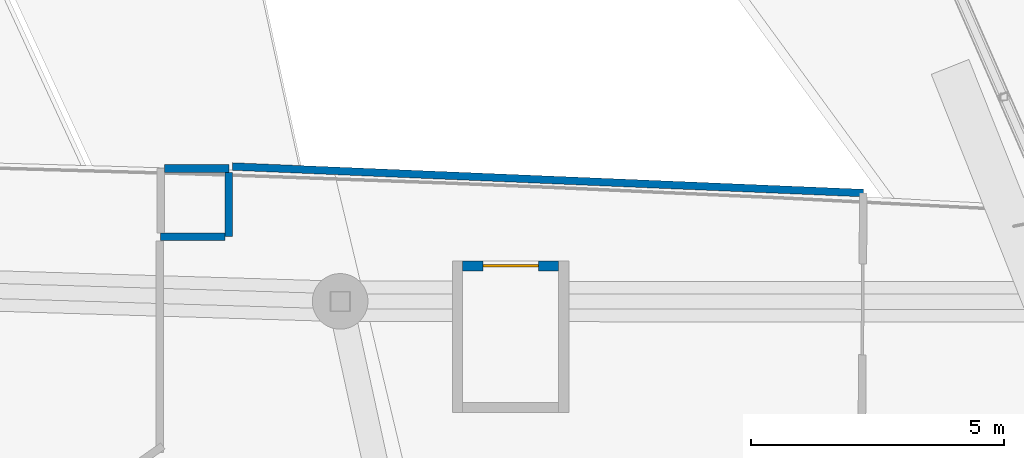
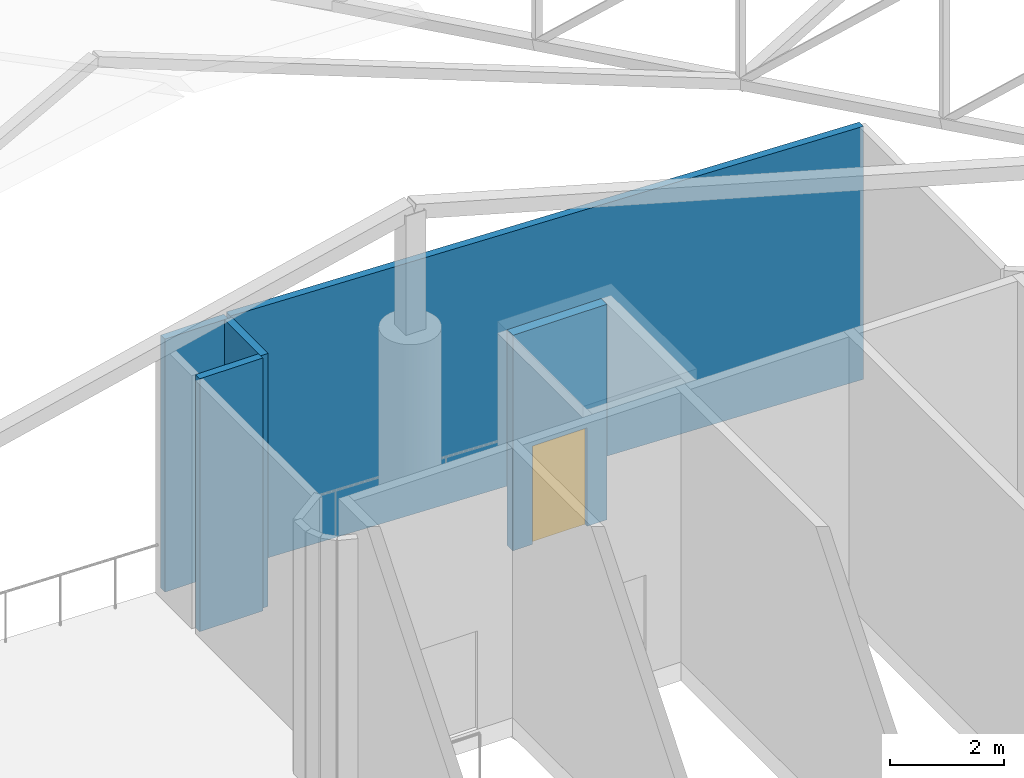
# One storey, part 249 of 344: 5 walls, 1 door, 1 opening.
"""IFC4 building model written with IfcOpenShell, lengths in metres."""

import ifcopenshell
import ifcopenshell.guid

model = None  # the IFC model being written
_history = None  # IfcOwnerHistory: only IFC2X3 demands one
_inside = {}  # id of a spatial element -> (the spatial element, [elements in it])
_under = {}  # id of a project, library or spatial element -> (it, [spatial elements below it])
_declared = {}  # id of a project -> (the project, [libraries it declares])
_typed = {}  # id of a type object -> (the type object, [elements of that type])
_made_of = {}  # id of a material, layer set ... -> (it, [elements and type objects made of it])


def new_model(schema):
    """Start an empty IFC model of exactly this schema.

    Asked for "IFC4X3", IfcOpenShell would pick the latest addendum, in which some entities
    have other attributes; the version numbers below select the first issue.
    IFC2X3 requires an IfcOwnerHistory on every rooted entity: one is made here for all.
    """
    global model, _history
    if schema == "IFC4X3":
        model = ifcopenshell.file(schema_version=(4, 3, 0, 0))
    else:
        model = ifcopenshell.file(schema=schema)
    _inside.clear()
    _under.clear()
    _declared.clear()
    _typed.clear()
    _made_of.clear()
    _history = None
    if model.schema == "IFC2X3":
        org = make("IfcOrganization", Name="unknown")
        user = make(
            "IfcPersonAndOrganization",
            ThePerson=make("IfcPerson", FamilyName="unknown"),
            TheOrganization=org,
        )
        app = make(
            "IfcApplication",
            ApplicationDeveloper=org,
            Version="unknown",
            ApplicationFullName="unknown",
            ApplicationIdentifier="unknown",
        )
        _history = make(
            "IfcOwnerHistory",
            OwningUser=user,
            OwningApplication=app,
            ChangeAction="ADDED",
            CreationDate=0,
        )
    return model


def make(cls, **values):
    """One entity of the class cls with the attributes given. An attribute that is None is left unset."""
    return model.create_entity(
        cls, **{name: value for name, value in values.items() if value is not None}
    )


def rooted(cls, **values):
    """An entity with a GlobalId (a new one), such as an element, a storey or a relation."""
    return make(cls, GlobalId=ifcopenshell.guid.new(), OwnerHistory=_history, **values)


def si_unit(unit_type, name, prefix=None):
    """IfcSIUnit, for example si_unit("LENGTHUNIT", "METRE", prefix="MILLI")."""
    return make("IfcSIUnit", UnitType=unit_type, Prefix=prefix, Name=name)


def assignment(units):
    """IfcUnitAssignment: the units of a project."""
    return None if units is None else make("IfcUnitAssignment", Units=units)


def point(xyz):
    """IfcCartesianPoint."""
    return None if xyz is None else make("IfcCartesianPoint", Coordinates=xyz)


def direction(xyz):
    """IfcDirection."""
    return None if xyz is None else make("IfcDirection", DirectionRatios=xyz)


def frame(location, z_axis=None, x_axis=None):
    """IfcAxis2Placement3D, a coordinate frame: its origin and axes. An axis left out is left unset."""
    return make(
        "IfcAxis2Placement3D",
        Location=point(location),
        Axis=direction(z_axis),
        RefDirection=direction(x_axis),
    )


def frame_2d(location, x_axis=None):
    """IfcAxis2Placement2D, a coordinate frame in the plane: its origin and x axis."""
    return make(
        "IfcAxis2Placement2D", Location=point(location), RefDirection=direction(x_axis)
    )


def origin():
    """The frame at (0, 0, 0) with its axes left unset."""
    return frame((0.0, 0.0, 0.0))


def place(relative_to, where):
    """IfcLocalPlacement: puts the frame where relative to a parent placement (None: the world)."""
    return make(
        "IfcLocalPlacement", PlacementRelTo=relative_to, RelativePlacement=where
    )


def context(
    kind, dimensions, precision=None, world=None, true_north=None, identifier=None
):
    """IfcGeometricRepresentationContext, for example the 3D "Model" context."""
    return make(
        "IfcGeometricRepresentationContext",
        ContextIdentifier=identifier,
        ContextType=kind,
        CoordinateSpaceDimension=dimensions,
        Precision=precision,
        WorldCoordinateSystem=world,
        TrueNorth=true_north,
    )


def subcontext(parent, identifier, kind, view, scale=None):
    """IfcGeometricRepresentationSubContext, for example "Body" below "Model"."""
    return make(
        "IfcGeometricRepresentationSubContext",
        ContextIdentifier=identifier,
        ContextType=kind,
        ParentContext=parent,
        TargetScale=scale,
        TargetView=view,
    )


def project(units=None, contexts=None):
    """IfcProject with its units and contexts."""
    return rooted(
        "IfcProject",
        Name="project",
        RepresentationContexts=contexts,
        UnitsInContext=assignment(units),
    )


def spatial(cls, under=None, at=None, **own):
    """A site, building, storey or space (cls), placed at a placement, below another one or the project."""
    s = rooted(cls, ObjectPlacement=at, **own)
    if under is not None:
        _under.setdefault(under.id(), (under, []))[1].append(s)
    return s


def profile(cls, at=None, kind="AREA", **sizes):
    """A parametric profile (cls). Its sizes go by their IFC names, for example OverallWidth=200.0."""
    return make(cls, ProfileType=kind, Position=at, **sizes)


def rectangle(**sizes):
    """IfcRectangleProfileDef."""
    return profile("IfcRectangleProfileDef", **sizes)


def extrude(swept, where, along, depth):
    """IfcExtrudedAreaSolid: the profile swept, set in the frame where, extruded along a direction by depth."""
    return make(
        "IfcExtrudedAreaSolid",
        SweptArea=swept,
        Position=where,
        ExtrudedDirection=direction(along),
        Depth=depth,
    )


def shape(context_of_items, identifier, shape_type, items):
    """IfcShapeRepresentation: the items that make up one representation, for example the "Body"."""
    return make(
        "IfcShapeRepresentation",
        ContextOfItems=context_of_items,
        RepresentationIdentifier=identifier,
        RepresentationType=shape_type,
        Items=items,
    )


def material(Name=None, Category=None):
    """IfcMaterial."""
    return make("IfcMaterial", Name=Name, Category=Category)


def layer(
    of_material, thickness, ventilated=None, Name=None, Category=None, Priority=None
):
    """IfcMaterialLayer: one layer of a wall or slab, of a material (None: an air gap)."""
    return make(
        "IfcMaterialLayer",
        Material=of_material,
        LayerThickness=thickness,
        IsVentilated=ventilated,
        Name=Name,
        Category=Category,
        Priority=Priority,
    )


def layer_set(layers, Name=None):
    """IfcMaterialLayerSet."""
    return make("IfcMaterialLayerSet", MaterialLayers=layers, LayerSetName=Name)


def made_of(thing, what):
    """Note that an element or type object is made of a material, layer set ...; save() writes the relation."""
    if what is not None:
        _made_of.setdefault(what.id(), (what, []))[1].append(thing)
    return thing


def type_object(cls, material=None, **own):
    """A type object (cls), such as IfcWallType, which elements share."""
    return made_of(rooted(cls, **own), material)


def element(
    cls,
    number,
    at=None,
    inside=None,
    cuts=None,
    type_object=None,
    material=None,
    context=None,
    identifier="Body",
    shape_type=None,
    held_by="IfcProductDefinitionShape",
    body=None,
    shapes=None,
    **own,
):
    """One element of the class cls, such as IfcWall. Its Tag is "e" and its number.

    at: its placement. inside: the storey or other place that contains it. cuts: it is an
    opening in that element (IfcRelVoidsElement). A single representation is given by context,
    identifier, shape_type and body (its items); several are given by shapes. held_by: the class
    of the entity that holds the representations. save() writes the other relations.
    """
    e = rooted(cls, Tag="e%d" % number, ObjectPlacement=at, **own)
    if body is not None:
        shapes = [shape(context, identifier, shape_type, body)]
    if shapes is not None:
        e.Representation = make(held_by, Representations=shapes)
    if inside is not None:
        _inside.setdefault(inside.id(), (inside, []))[1].append(e)
    if cuts is not None:
        rooted(
            "IfcRelVoidsElement", RelatingBuildingElement=cuts, RelatedOpeningElement=e
        )
    if type_object is not None:
        _typed.setdefault(type_object.id(), (type_object, []))[1].append(e)
    return made_of(e, material)


def fill(opening, filler):
    """IfcRelFillsElement: the door or window that sits in an opening."""
    return rooted(
        "IfcRelFillsElement",
        RelatingOpeningElement=opening,
        RelatedBuildingElement=filler,
    )


def aggregate(whole, parts):
    """IfcRelAggregates: a whole, such as a stair, and the parts it consists of."""
    return rooted("IfcRelAggregates", RelatingObject=whole, RelatedObjects=parts)


def save(model, path):
    """Write the relations noted so far, then the file.

    IfcRelAggregates (storeys below a building ...), IfcRelContainedInSpatialStructure (elements
    in a storey), IfcRelDefinesByType, IfcRelAssociatesMaterial and IfcRelDeclares: one each for
    every whole, place, type object, material and project.
    """
    for whole, parts in _under.values():
        aggregate(whole, parts)
    for where, things in _inside.values():
        rooted(
            "IfcRelContainedInSpatialStructure",
            RelatedElements=things,
            RelatingStructure=where,
        )
    for kind, things in _typed.values():
        rooted("IfcRelDefinesByType", RelatedObjects=things, RelatingType=kind)
    for what, things in _made_of.values():
        rooted("IfcRelAssociatesMaterial", RelatedObjects=things, RelatingMaterial=what)
    for by, libraries in _declared.values():
        rooted("IfcRelDeclares", RelatingContext=by, RelatedDefinitions=libraries)
    model.write(path)


model = new_model("IFC4")

# Units and contexts
model_context = context("Model", 3, precision=1e-05, world=origin(), true_north=direction((0.0, 1.0)))
body_context = subcontext(model_context, "Body", "Model", "MODEL_VIEW")
ifc_project = project(units=[si_unit("LENGTHUNIT", "METRE"), si_unit("AREAUNIT", "SQUARE_METRE"), si_unit("VOLUMEUNIT", "CUBIC_METRE"), si_unit("PLANEANGLEUNIT", "RADIAN"), si_unit("MASSUNIT", "GRAM", prefix="KILO")], contexts=[model_context])

# Site, building, storey
site_placement = place(None, origin())
site = spatial("IfcSite", under=ifc_project, at=site_placement, CompositionType="ELEMENT")
building_placement = place(site_placement, origin())
building = spatial("IfcBuilding", under=site, at=building_placement, Name="Meseta Stadium", CompositionType="ELEMENT")
storey_placement = place(building_placement, frame((0.0, 0.0, 24.0)))
storey = spatial("IfcBuildingStorey", under=building, at=storey_placement, Name="L04", CompositionType="ELEMENT", Elevation=24.0)

# Wall, opening, door
ifc_material_1 = material(Name="Concrete C40/50", Category="concrete")
ifc_layer_1 = layer(ifc_material_1, 0.199951171875)
ifc_layer_set_1 = layer_set([ifc_layer_1], Name="Core shaft wall 200")
wall_type_1 = type_object("IfcWallType", Name="Core shaft wall 200", PredefinedType="SHEAR", material=ifc_layer_set_1)
wall_1_placement = place(storey_placement, frame((22.050048828125, -89.199951171875, 0.0), z_axis=(0.0, 0.0, 1.0), x_axis=(1.0, 0.0, 0.0)))
wall_1 = element("IfcWall", 1, at=wall_1_placement, inside=storey, type_object=wall_type_1, Name="Core 25 L04 lift shaft front wall", PredefinedType="SHEAR", context=body_context, shape_type="SweptSolid", body=[
    extrude(rectangle(XDim=1.89990234375, YDim=0.199951171875, at=frame_2d((0.949951171875, 0.0))), origin(), (0.0, 0.0, 1.0), 4.60009765625),
])
opening_placement = place(wall_1_placement, frame((0.39990234375, 0.0, 0.0)))
opening = element("IfcOpeningElement", 2, at=opening_placement, cuts=wall_1, Name="Opening LD140", PredefinedType="OPENING", context=body_context, shape_type="SweptSolid", body=[
    extrude(rectangle(XDim=1.10009765625, YDim=2.10009765625, at=frame_2d((0.550048828125, 1.050048828125))), frame((0.0, 0.10986328125, 0.0), z_axis=(0.0, -1.0, 0.0), x_axis=(1.0, 0.0, 0.0)), (0.0, 0.0, 1.0), 0.219970703125),
])
ifc_material_2 = material(Name="Steel", Category="steel")
door_type = type_object("IfcDoorType", Name="Lift landing door 1100x2100", OperationType="SLIDING_TO_LEFT", PredefinedType="DOOR", material=ifc_material_2)
door_placement = place(opening_placement, origin())
door = element("IfcDoor", 3, at=door_placement, inside=storey, type_object=door_type, Name="Lift landing door LD140", OperationType="SLIDING_TO_RIGHT", OverallHeight=2.10009765625, OverallWidth=1.10009765625, PredefinedType="DOOR", context=body_context, shape_type="SweptSolid", body=[
    extrude(rectangle(XDim=1.10009765625, YDim=2.10009765625, at=frame_2d((0.550048828125, 1.050048828125))), frame((0.0, 0.02490234375, 0.0), z_axis=(0.0, -1.0, 0.0), x_axis=(1.0, 0.0, 0.0)), (0.0, 0.0, 1.0), 0.050048828125),
])
fill(opening, door)

# Walls
ifc_material_3 = material(Name="Masonry blockwork", Category="masonry")
ifc_layer_2 = layer(ifc_material_3, 0.14990234375)
ifc_layer_set_2 = layer_set([ifc_layer_2], Name="Partition 150")
wall_type_2 = type_object("IfcWallType", Name="Partition 150", PredefinedType="PARTITIONING", material=ifc_layer_set_2)
wall_2_placement = place(storey_placement, frame((16.074951171875, -88.625, 0.0), z_axis=(0.0, 0.0, 1.0), x_axis=(1.0, 0.0, 0.0)))
element("IfcWall", 4, at=wall_2_placement, inside=storey, type_object=wall_type_2, Name="Pressurisation shaft wall L04 core 25", PredefinedType="PARTITIONING", context=body_context, shape_type="SweptSolid", body=[
    extrude(rectangle(XDim=1.275146484375, YDim=0.14990234375, at=frame_2d((0.6376953125, 0.0))), origin(), (0.0, 0.0, 1.0), 5.39990234375),
])
wall_3_placement = place(storey_placement, frame((17.425048828125, -88.625, 0.0), z_axis=(0.0, 0.0, 1.0), x_axis=(0.0, 1.0, 0.0)))
element("IfcWall", 5, at=wall_3_placement, inside=storey, type_object=wall_type_2, Name="Pressurisation shaft wall L04 core 25", PredefinedType="PARTITIONING", context=body_context, shape_type="SweptSolid", body=[
    extrude(rectangle(XDim=1.27490234375, YDim=0.14990234375, at=frame_2d((0.637451171875, 0.0))), origin(), (0.0, 0.0, 1.0), 5.39990234375),
])
wall_4_placement = place(storey_placement, frame((17.425048828125, -87.27490234375, 0.0), z_axis=(0.0, 0.0, 1.0), x_axis=(-1.0, 0.0, 0.0)))
element("IfcWall", 6, at=wall_4_placement, inside=storey, type_object=wall_type_2, Name="Pressurisation shaft wall L04 core 25", PredefinedType="PARTITIONING", context=body_context, shape_type="SweptSolid", body=[
    extrude(rectangle(XDim=1.275146484375, YDim=0.14990234375, at=frame_2d((0.6376953125, 0.0))), origin(), (0.0, 0.0, 1.0), 5.39990234375),
])
wall_5_placement = place(storey_placement, frame((29.975341796875, -87.760498046875, 0.0), z_axis=(0.0, 0.0, 1.0), x_axis=(-0.999118137172, 0.041987474002, 0.0)))
element("IfcWall", 7, at=wall_5_placement, inside=storey, type_object=wall_type_2, Name="Stair vestibule wall L04 core 25", PredefinedType="PARTITIONING", context=body_context, shape_type="SweptSolid", body=[
    extrude(rectangle(XDim=12.48974609375, YDim=0.14990234375, at=frame_2d((6.244873046875, 0.0))), origin(), (0.0, 0.0, 1.0), 5.39990234375),
])

save(model, "model.ifc")
